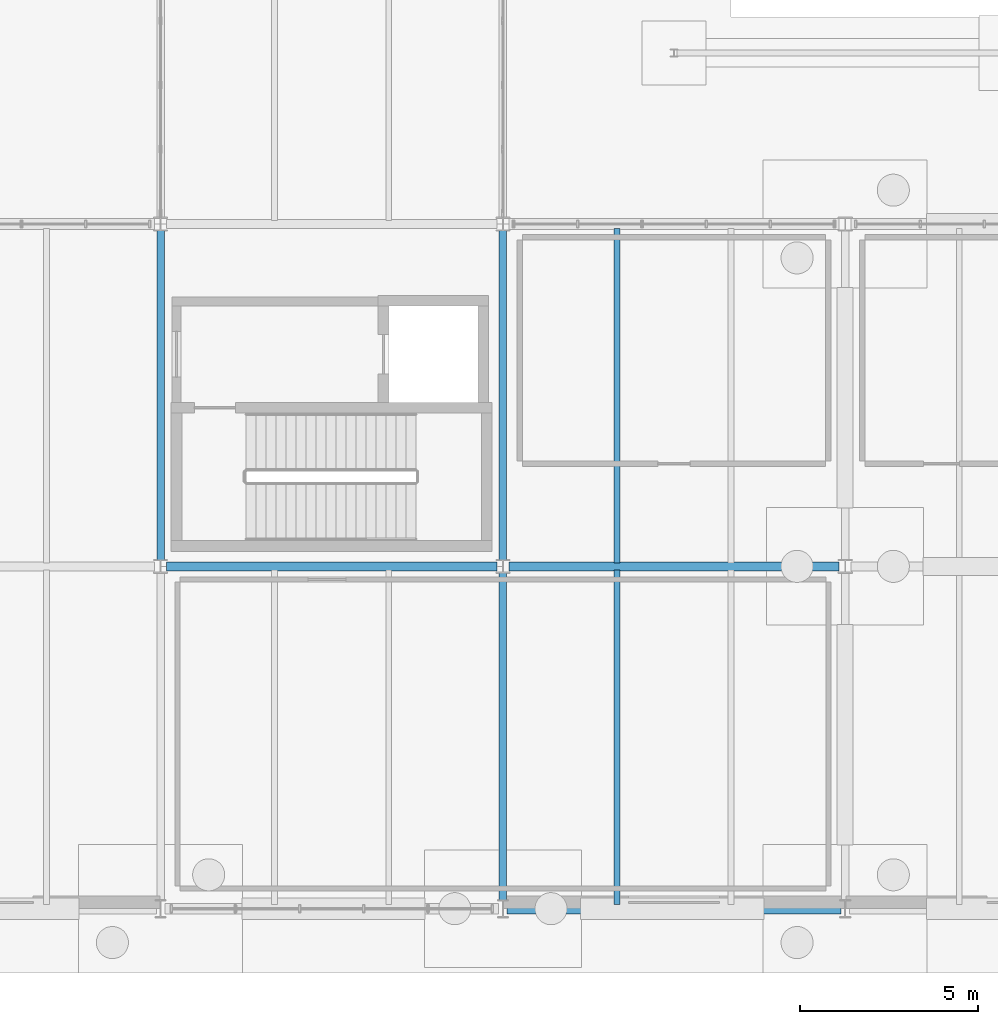
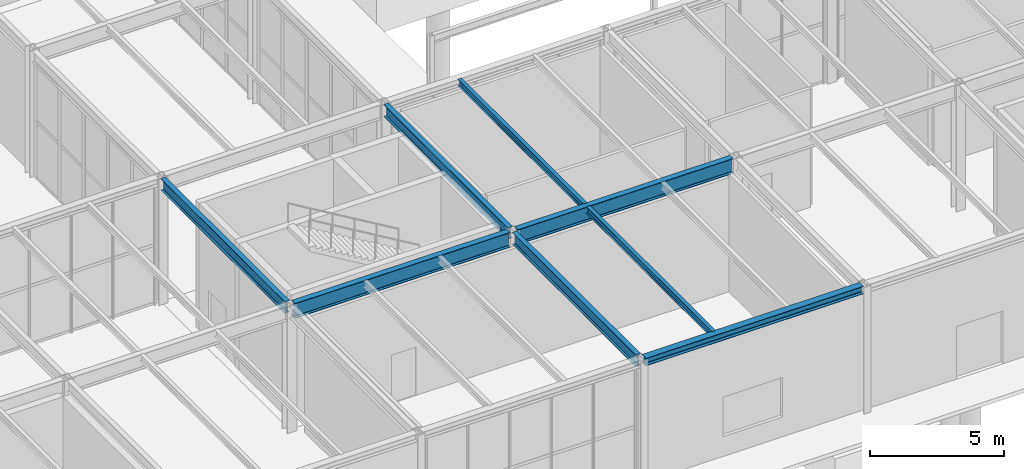
# One storey, part 42 of 142: 8 beams.
"""IFC4 building model written with IfcOpenShell, lengths in metres."""

from ifc_helpers import new_model, si_unit, direction, frame, origin, origin_2d, place, context, subcontext, project, spatial, i_section, extrude, material, material_profile, profile_set, type_object, element, save


model = new_model("IFC4")

# Units and contexts
model_context = context("Model", 3, precision=1e-05, world=origin(), true_north=direction((0.0, 1.0)))
body_context = subcontext(model_context, "Body", "Model", "MODEL_VIEW")
ifc_project = project(units=[si_unit("LENGTHUNIT", "METRE"), si_unit("AREAUNIT", "SQUARE_METRE"), si_unit("VOLUMEUNIT", "CUBIC_METRE"), si_unit("PLANEANGLEUNIT", "RADIAN"), si_unit("MASSUNIT", "GRAM", prefix="KILO")], contexts=[model_context])

# Site, building, storey
site_placement = place(None, origin())
site = spatial("IfcSite", under=ifc_project, at=site_placement, CompositionType="ELEMENT")
building_placement = place(site_placement, origin())
building = spatial("IfcBuilding", under=site, at=building_placement, Name="Coralgate Yard Interchange", CompositionType="ELEMENT")
storey_placement = place(building_placement, origin())
storey = spatial("IfcBuildingStorey", under=building, at=storey_placement, Name="L00", CompositionType="ELEMENT", Elevation=0.0)

# Beams
ifc_material = material(Name="Structural steel S355J2", Category="steel")
ifc_material_profile_1 = material_profile(ifc_material, i_section(OverallWidth=0.209228515625, OverallDepth=0.533203125, WebThickness=0.010009765625, FlangeThickness=0.015625, FilletRadius=0.0126953125, at=origin_2d()), Name="UB 533x210x92")
ifc_profile_set_1 = profile_set([ifc_material_profile_1], Name="Structural steel S355J2")
beam_type_1 = type_object("IfcBeamType", Name="BM-SB-1", PredefinedType="BEAM", material=ifc_profile_set_1)
beam_1_placement = place(storey_placement, frame((48.0, 9.766845703125, 5.4833984375), z_axis=(0.0, 1.0, 0.0), x_axis=(-1.0, 0.0, 0.0)))
element("IfcBeam", 1, at=beam_1_placement, inside=storey, type_object=beam_type_1, Name="L00 primary grid girder X5 Y1-2", PredefinedType="BEAM", context=body_context, shape_type="SweptSolid", body=[
    extrude(i_section(OverallWidth=0.209228515625, OverallDepth=0.533203125, WebThickness=0.010009765625, FlangeThickness=0.015625, FilletRadius=0.0126953125, at=origin_2d()), origin(), (0.0, 0.0, 1.0), 9.266357421875),
])
beam_2_placement = place(storey_placement, frame((57.60009765625, 0.219970703125, 5.4833984375), z_axis=(0.0, 1.0, 0.0), x_axis=(-1.0, 0.0, 0.0)))
element("IfcBeam", 2, at=beam_2_placement, inside=storey, type_object=beam_type_1, Name="L00 primary grid girder X6 Y0-1", PredefinedType="BEAM", context=body_context, shape_type="SweptSolid", body=[
    extrude(i_section(OverallWidth=0.209228515625, OverallDepth=0.533203125, WebThickness=0.010009765625, FlangeThickness=0.015625, FilletRadius=0.0126953125, at=origin_2d()), origin(), (0.0, 0.0, 1.0), 9.213134765625),
])
beam_3_placement = place(storey_placement, frame((57.60009765625, 9.766845703125, 5.4833984375), z_axis=(0.0, 1.0, 0.0), x_axis=(-1.0, 0.0, 0.0)))
element("IfcBeam", 3, at=beam_3_placement, inside=storey, type_object=beam_type_1, Name="L00 primary grid girder X6 Y1-2", PredefinedType="BEAM", context=body_context, shape_type="SweptSolid", body=[
    extrude(i_section(OverallWidth=0.209228515625, OverallDepth=0.533203125, WebThickness=0.010009765625, FlangeThickness=0.015625, FilletRadius=0.0126953125, at=origin_2d()), origin(), (0.0, 0.0, 1.0), 9.266357421875),
])
ifc_material_profile_2 = material_profile(ifc_material, i_section(OverallWidth=0.253662109375, OverallDepth=0.68359375, WebThickness=0.012451171875, FlangeThickness=0.01904296875, FilletRadius=0.01513671875, at=origin_2d()), Name="UB 686x254x140")
ifc_profile_set_2 = profile_set([ifc_material_profile_2], Name="Structural steel S355J2")
beam_type_2 = type_object("IfcBeamType", Name="BM-SG-4", PredefinedType="BEAM", material=ifc_profile_set_2)
for number, where, z_axis, x_axis, name in (
    (4, (48.16943359375, 9.60009765625, 5.408203125), (1.0, 0.0, 0.0), (0.0, 1.0, 0.0), "L00 primary grid beam Y1 X5-6"),
    (5, (57.76953125, 9.60009765625, 5.408203125), (1.0, 0.0, 0.0), (0.0, 1.0, 0.0), "L00 primary grid beam Y1 X6-7"),
):
    element("IfcBeam", number, at=place(storey_placement, frame(where, z_axis=z_axis, x_axis=x_axis)), inside=storey, type_object=beam_type_2, Name=name, PredefinedType="BEAM", context=body_context, shape_type="SweptSolid", body=[
        extrude(i_section(OverallWidth=0.253662109375, OverallDepth=0.68359375, WebThickness=0.012451171875, FlangeThickness=0.01904296875, FilletRadius=0.01513671875, at=origin_2d()), origin(), (0.0, 0.0, 1.0), 9.260986328125),
    ])
ifc_material_profile_3 = material_profile(ifc_material, i_section(OverallWidth=0.1650390625, OverallDepth=0.303466796875, WebThickness=0.006103515625, FlangeThickness=0.01025390625, FilletRadius=0.0087890625, at=origin_2d()), Name="UB 305x165x40")
ifc_profile_set_3 = profile_set([ifc_material_profile_3], Name="Structural steel S355J2")
beam_type_3 = type_object("IfcBeamType", Name="BM-SJ-1", PredefinedType="JOIST", material=ifc_profile_set_3)
beam_4_placement = place(storey_placement, frame((60.800048828125, 0.1201171875, 5.598388671875), z_axis=(0.0, 1.0, 0.0), x_axis=(-1.0, 0.0, 0.0)))
element("IfcBeam", 6, at=beam_4_placement, inside=storey, type_object=beam_type_3, Name="L00 composite floor joist 6-0-1", PredefinedType="JOIST", context=body_context, shape_type="SweptSolid", body=[
    extrude(i_section(OverallWidth=0.1650390625, OverallDepth=0.303466796875, WebThickness=0.006103515625, FlangeThickness=0.01025390625, FilletRadius=0.0087890625, at=origin_2d()), origin(), (0.0, 0.0, 1.0), 9.383056640625),
])
beam_5_placement = place(storey_placement, frame((60.800048828125, 9.69677734375, 5.598388671875), z_axis=(0.0, 1.0, 0.0), x_axis=(-1.0, 0.0, 0.0)))
element("IfcBeam", 7, at=beam_5_placement, inside=storey, type_object=beam_type_3, Name="L00 composite floor joist 6-1-1", PredefinedType="JOIST", context=body_context, shape_type="SweptSolid", body=[
    extrude(i_section(OverallWidth=0.1650390625, OverallDepth=0.303466796875, WebThickness=0.006103515625, FlangeThickness=0.01025390625, FilletRadius=0.0087890625, at=origin_2d()), origin(), (0.0, 0.0, 1.0), 9.38330078125),
])
ifc_material_profile_4 = material_profile(ifc_material, i_section(OverallWidth=0.300048828125, OverallDepth=0.35009765625, WebThickness=0.010009765625, FlangeThickness=0.017578125, FilletRadius=0.027099609375, at=origin_2d()), Name="HEA 360")
ifc_profile_set_4 = profile_set([ifc_material_profile_4], Name="Structural steel S355J2")
beam_type_4 = type_object("IfcBeamType", Name="BM-SP-1", PredefinedType="SPANDREL", material=ifc_profile_set_4)
beam_6_placement = place(storey_placement, frame((57.719970703125, 0.0, 5.574951171875), z_axis=(1.0, 0.0, 0.0), x_axis=(0.0, 1.0, 0.0)))
element("IfcBeam", 8, at=beam_6_placement, inside=storey, type_object=beam_type_4, Name="L00 primary grid beam Y0 X6-7", PredefinedType="SPANDREL", context=body_context, shape_type="SweptSolid", body=[
    extrude(i_section(OverallWidth=0.300048828125, OverallDepth=0.35009765625, WebThickness=0.010009765625, FlangeThickness=0.017578125, FilletRadius=0.027099609375, at=origin_2d()), origin(), (0.0, 0.0, 1.0), 9.360107421875),
])

save(model, "model.ifc")
